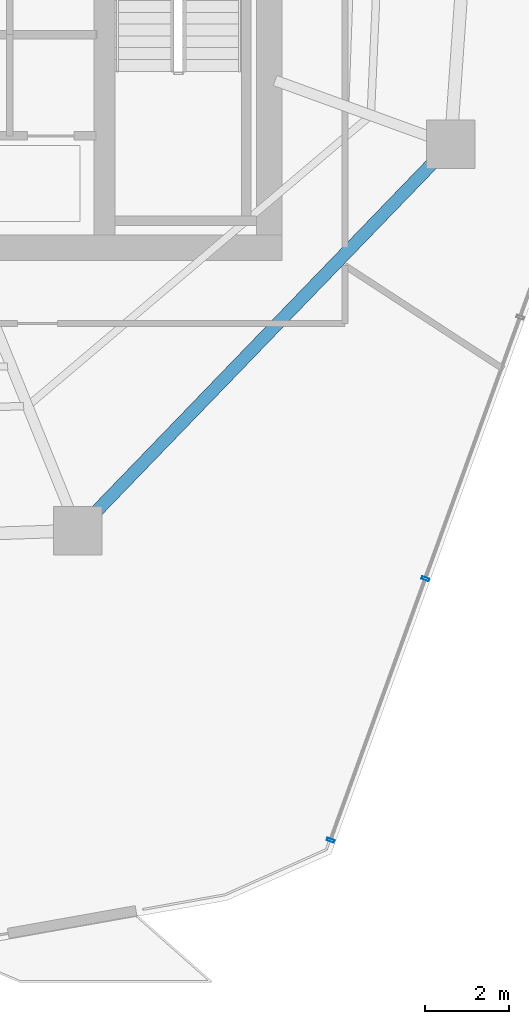
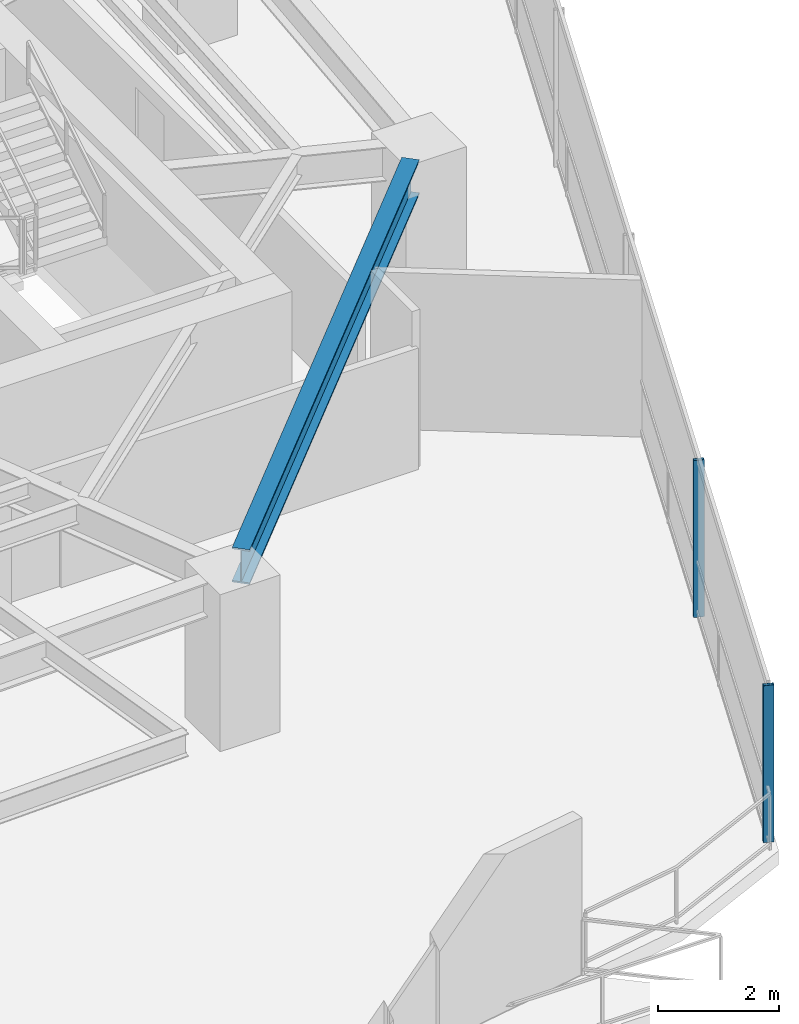
# One storey, part 11 of 27: 2 members, 1 beam, 1 element without a shape of its own.
"""IFC4 building model written with IfcOpenShell, lengths in metres."""

from ifc_helpers import new_model, si_unit, direction, frame, origin, origin_2d, place, context, subcontext, project, spatial, hollow_rectangle, i_section, extrude, material, layer, layer_set, material_profile, profile_set, type_object, element, aggregate, save


model = new_model("IFC4")

# Units and contexts
model_context = context("Model", 3, precision=1e-05, world=origin(), true_north=direction((0.0, 1.0)))
body_context = subcontext(model_context, "Body", "Model", "MODEL_VIEW")
ifc_project = project(units=[si_unit("LENGTHUNIT", "METRE"), si_unit("AREAUNIT", "SQUARE_METRE"), si_unit("VOLUMEUNIT", "CUBIC_METRE"), si_unit("PLANEANGLEUNIT", "RADIAN"), si_unit("MASSUNIT", "GRAM", prefix="KILO")], contexts=[model_context])

# Site, building, storey
site_placement = place(None, origin())
site = spatial("IfcSite", under=ifc_project, at=site_placement, CompositionType="ELEMENT")
building_placement = place(site_placement, origin())
building = spatial("IfcBuilding", under=site, at=building_placement, Name="Qarnah Convention Tower", CompositionType="ELEMENT")
storey_placement = place(building_placement, frame((0.0, 0.0, 103.949951171875)))
storey = spatial("IfcBuildingStorey", under=building, at=storey_placement, Name="L27", CompositionType="ELEMENT", Elevation=103.949951171875)

# Beam
ifc_material_1 = material(Name="Structural steel S355JR", Category="steel")
ifc_material_profile_1 = material_profile(ifc_material_1, i_section(OverallWidth=0.300048828125, OverallDepth=0.699951171875, WebThickness=0.01708984375, FlangeThickness=0.031982421875, at=origin_2d()), Name="HEB700")
ifc_profile_set_1 = profile_set([ifc_material_profile_1], Name="Structural steel S355JR")
beam_type = type_object("IfcBeamType", Name="BM-RING-HEB700", PredefinedType="BEAM", material=ifc_profile_set_1)
beam_placement = place(storey_placement, frame((43.455078125, 12.2958984375, 2.820068359375), z_axis=(0.694656478954, 0.719341626939, 0.0), x_axis=(-0.719341626939, 0.694656478954, 0.0)))
element("IfcBeam", 1, at=beam_placement, inside=storey, type_object=beam_type, Name="L27 beam BM-L27-SPN-08", PredefinedType="BEAM", context=body_context, shape_type="SweptSolid", body=[
    extrude(i_section(OverallWidth=0.300048828125, OverallDepth=0.699951171875, WebThickness=0.01708984375, FlangeThickness=0.031982421875, at=origin_2d()), origin(), (0.0, 0.0, 1.0), 11.60107421875),
])

# Curtain wall, members
ifc_material_2 = material(Name="Tempered Low-E dark glass", Category="glass")
ifc_layer = layer(ifc_material_2, 0.169921875)
ifc_layer_set = layer_set([ifc_layer], Name="Tempered Low-E dark glass")
curtain_wall_type = type_object("IfcCurtainWallType", Name="CWS-02", PredefinedType="NOTDEFINED", material=ifc_layer_set)
curtain_wall_placement = place(storey_placement, origin())
curtain_wall = element("IfcCurtainWall", 2, at=curtain_wall_placement, inside=storey, type_object=curtain_wall_type, Name="L27 unitised curtain wall CW-L27-F2", PredefinedType="NOTDEFINED")
ifc_material_3 = material(Name="Black anodised aluminium", Category="aluminium")
ifc_material_profile_2 = material_profile(ifc_material_3, hollow_rectangle(XDim=0.06494140625, YDim=0.179931640625, WallThickness=0.00390625, at=origin_2d()), Name="MUL-65X180")
ifc_profile_set_2 = profile_set([ifc_material_profile_2], Name="Black anodised aluminium")
member_type = type_object("IfcMemberType", Name="MUL-T2", PredefinedType="MULLION", material=ifc_profile_set_2)
member_1_placement = place(storey_placement, frame((51.304443359375, 10.74755859375, 0.0), z_axis=(0.0, 0.0, 1.0), x_axis=(-0.340708211397, -0.940169088349, 0.0)))
member_1 = element("IfcMember", 3, at=member_1_placement, type_object=member_type, Name="CW-L27-F2 mullion 5", PredefinedType="MULLION", context=body_context, shape_type="SweptSolid", body=[
    extrude(hollow_rectangle(XDim=0.06494140625, YDim=0.179931640625, WallThickness=0.00390625, at=origin_2d()), origin(), (0.0, 0.0, 1.0), 3.170166015625),
])
member_2_placement = place(storey_placement, frame((49.056884765625, 4.5458984375, 0.0), z_axis=(0.0, 0.0, 1.0), x_axis=(-0.340708211397, -0.940169088349, 0.0)))
member_2 = element("IfcMember", 4, at=member_2_placement, type_object=member_type, Name="CW-L27-F2 mullion 6", PredefinedType="MULLION", context=body_context, shape_type="SweptSolid", body=[
    extrude(hollow_rectangle(XDim=0.06494140625, YDim=0.179931640625, WallThickness=0.00390625, at=origin_2d()), origin(), (0.0, 0.0, 1.0), 3.170166015625),
])
aggregate(curtain_wall, [member_1, member_2])

save(model, "model.ifc")
